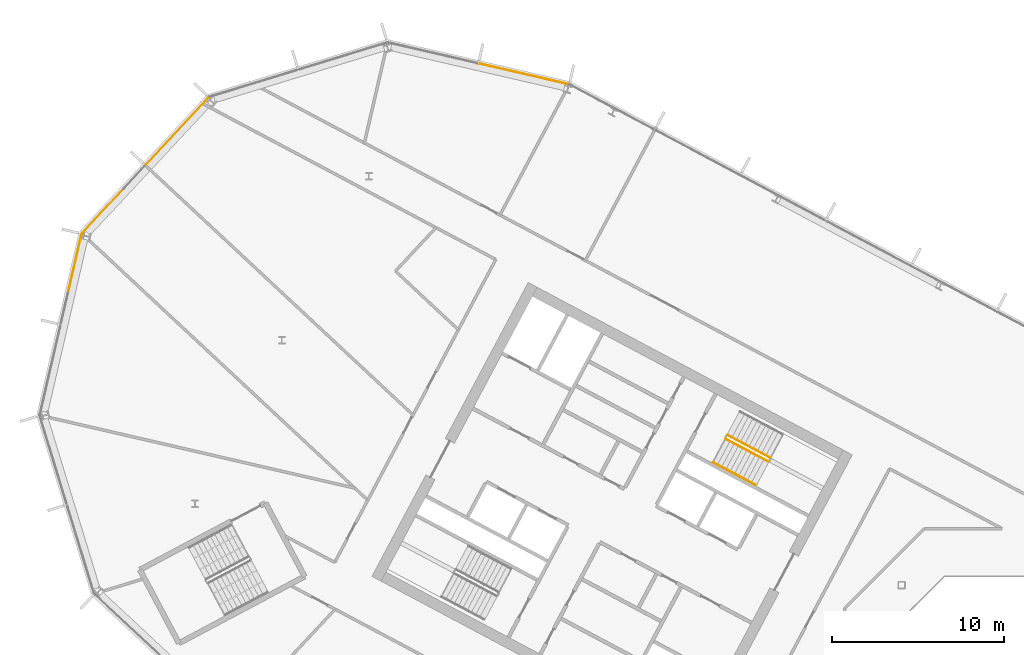
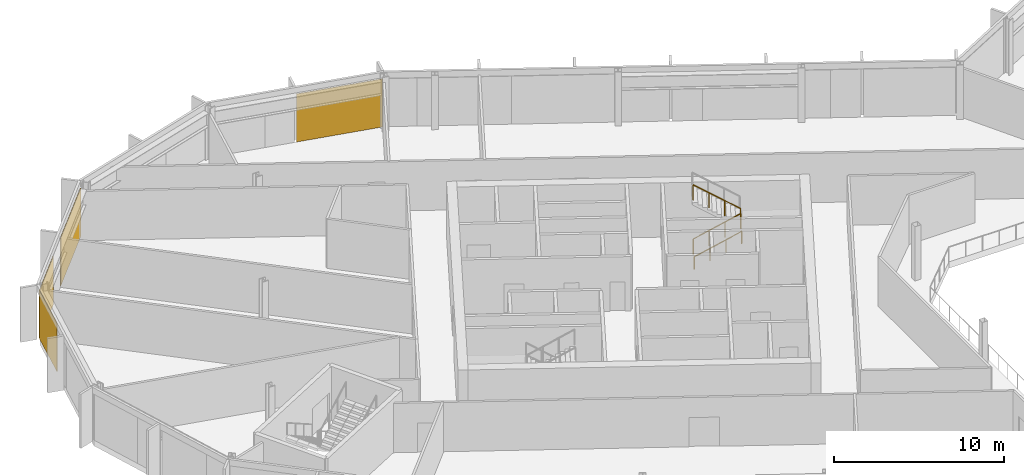
# One storey, part 25 of 31: 4 coverings, 3 railings, 3 elements without a shape of their own.
"""IFC4 building model written with IfcOpenShell, lengths in metres."""

from ifc_helpers import new_model, si_unit, direction, frame, origin, origin_2d, place, context, subcontext, project, spatial, polyline, rectangle, outline, extrude, material, layer, layer_set, type_object, element, aggregate, save


model = new_model("IFC4")

# Units and contexts
model_context = context("Model", 3, precision=1e-05, world=origin(), true_north=direction((0.0, 1.0)))
body_context = subcontext(model_context, "Body", "Model", "MODEL_VIEW")
ifc_project = project(units=[si_unit("LENGTHUNIT", "METRE"), si_unit("AREAUNIT", "SQUARE_METRE"), si_unit("VOLUMEUNIT", "CUBIC_METRE"), si_unit("PLANEANGLEUNIT", "RADIAN"), si_unit("MASSUNIT", "GRAM", prefix="KILO")], contexts=[model_context])

# Site, building, storey
site_placement = place(None, origin())
site = spatial("IfcSite", under=ifc_project, at=site_placement, CompositionType="ELEMENT")
building_placement = place(site_placement, origin())
building = spatial("IfcBuilding", under=site, at=building_placement, Name="Cormorant Relay Tower", CompositionType="ELEMENT")
storey_placement = place(building_placement, frame((0.0, 0.0, 189.60009765625)))
storey = spatial("IfcBuildingStorey", under=building, at=storey_placement, Name="L40", CompositionType="ELEMENT", Elevation=189.60009765625)

# Curtain wall, covering
ifc_material_1 = material(Name="Aluminium 6063-T6 anodised bronze", Category="aluminium")
ifc_layer_1 = layer(ifc_material_1, 0.199951171875)
ifc_layer_set_1 = layer_set([ifc_layer_1], Name="CW1 unitised bronze curtain wall with vertical fins")
curtain_wall_type = type_object("IfcCurtainWallType", Name="CW1 unitised bronze curtain wall with vertical fins", PredefinedType="NOTDEFINED", material=ifc_layer_set_1)
curtain_wall_1_placement = place(storey_placement, origin())
curtain_wall_1 = element("IfcCurtainWall", 1, at=curtain_wall_1_placement, inside=storey, type_object=curtain_wall_type, Name="CW1 curtain wall 10", PredefinedType="NOTDEFINED")
ifc_material_2 = material(Name="Pale bronze anodised aluminium insulated panel", Category="aluminium")
ifc_layer_2 = layer(ifc_material_2, 0.0400390625)
ifc_layer_set_2 = layer_set([ifc_layer_2], Name="CW1 pale bronze insulated panel 40")
covering_type = type_object("IfcCoveringType", Name="CW1 pale bronze insulated panel 40", PredefinedType="CLADDING", material=ifc_layer_set_2)
covering_1_placement = place(storey_placement, frame((-32.51708984375, 40.298828125, 0.0), z_axis=(0.0, 0.0, 1.0), x_axis=(-0.974370064785, 0.224951054344, 0.0)))
covering_1 = element("IfcCovering", 2, at=covering_1_placement, type_object=covering_type, Name="CW1 panel S00", PredefinedType="CLADDING", context=body_context, shape_type="SweptSolid", body=[
    extrude(rectangle(XDim=5.28515625, YDim=0.0400390625, at=origin_2d()), origin(), (0.0, 0.0, 1.0), 3.449951171875),
])
aggregate(curtain_wall_1, [covering_1])

# Curtain wall, coverings
curtain_wall_2_placement = place(storey_placement, origin())
curtain_wall_2 = element("IfcCurtainWall", 3, at=curtain_wall_2_placement, inside=storey, type_object=curtain_wall_type, Name="CW1 curtain wall 12", PredefinedType="NOTDEFINED")
covering_2_placement = place(storey_placement, frame((-52.72900390625, 36.961181640625, 0.0), z_axis=(0.0, 0.0, 1.0), x_axis=(-0.681998360062, -0.731353701619, 0.0)))
covering_2 = element("IfcCovering", 4, at=covering_2_placement, type_object=covering_type, Name="CW1 panel S00", PredefinedType="CLADDING", context=body_context, shape_type="SweptSolid", body=[
    extrude(rectangle(XDim=5.28515625, YDim=0.0400390625, at=origin_2d()), origin(), (0.0, 0.0, 1.0), 3.449951171875),
])
covering_3_placement = place(storey_placement, frame((-57.0751953125, 32.300537109375, 0.0), z_axis=(0.0, 0.0, 1.0), x_axis=(-0.681998360062, -0.731353701619, 0.0)))
covering_3 = element("IfcCovering", 5, at=covering_3_placement, type_object=covering_type, Name="CW1 panel S02", PredefinedType="CLADDING", context=body_context, shape_type="SweptSolid", body=[
    extrude(rectangle(XDim=3.560302734375, YDim=0.0400390625, at=origin_2d()), origin(), (0.0, 0.0, 1.0), 3.449951171875),
])
aggregate(curtain_wall_2, [covering_2, covering_3])

# Curtain wall, covering
curtain_wall_3_placement = place(storey_placement, origin())
curtain_wall_3 = element("IfcCurtainWall", 6, at=curtain_wall_3_placement, inside=storey, type_object=curtain_wall_type, Name="CW1 curtain wall 13", PredefinedType="NOTDEFINED")
covering_4_placement = place(storey_placement, frame((-58.702880859375, 29.218505859375, 0.0), z_axis=(0.0, 0.0, 1.0), x_axis=(-0.224951054344, -0.974370064785, 0.0)))
covering_4 = element("IfcCovering", 7, at=covering_4_placement, type_object=covering_type, Name="CW1 panel S00", PredefinedType="CLADDING", context=body_context, shape_type="SweptSolid", body=[
    extrude(rectangle(XDim=3.485107421875, YDim=0.0400390625, at=origin_2d()), origin(), (0.0, 0.0, 1.0), 3.449951171875),
])
aggregate(curtain_wall_3, [covering_4])

# Railings
ifc_material_3 = material(Name="Steel ASTM A572 Grade 50 (Fy 345 MPa)", Category="steel")
railing_type_1 = type_object("IfcRailingType", Name="Stair guard 1100", PredefinedType="GUARDRAIL", material=ifc_material_3)
railing_1_placement = place(storey_placement, frame((-20.75048828125, 19.017822265625, 0.17724609375)))
element("IfcRailing", 8, at=railing_1_placement, inside=storey, type_object=railing_type_1, Name="L40 A1 stair guard 1", PredefinedType="GUARDRAIL", context=body_context, shape_type="SweptSolid", body=[
    extrude(outline(polyline([(0.022216796875, 0.00927734375), (0.00927734375, 0.022216796875), (-0.00927734375, 0.022216796875), (-0.022216796875, 0.00927734375), (-0.022216796875, -0.00927734375), (-0.00927734375, -0.022216796875), (0.00927734375, -0.022216796875), (0.022216796875, -0.00927734375), (0.022216796875, 0.00927734375)])), frame((0.0, 0.0, 1.076171875), z_axis=(0.746001213114, -0.396649272309, 0.534931345884), x_axis=(0.469465464807, 0.882950835185, 0.0)), (0.0, 0.0, 1.0), 3.31396484375),
    extrude(outline(polyline([(0.019287109375, 0.008056640625), (0.008056640625, 0.019287109375), (-0.008056640625, 0.019287109375), (-0.019287109375, 0.008056640625), (-0.019287109375, -0.008056640625), (-0.008056640625, -0.019287109375), (0.008056640625, -0.019287109375), (0.019287109375, -0.008056640625), (0.019287109375, 0.008056640625)])), origin(), (0.0, 0.0, 1.0), 1.052001953125),
    extrude(outline(polyline([(0.019287109375, 0.008056640625), (0.008056640625, 0.019287109375), (-0.008056640625, 0.019287109375), (-0.019287109375, 0.008056640625), (-0.019287109375, -0.008056640625), (-0.008056640625, -0.019287109375), (0.008056640625, -0.019287109375), (0.019287109375, -0.008056640625), (0.019287109375, 0.008056640625)])), frame((0.823974609375, -0.438232421875, 0.5908203125)), (0.0, 0.0, 1.0), 1.052001953125),
    extrude(outline(polyline([(0.019287109375, 0.008056640625), (0.008056640625, 0.019287109375), (-0.008056640625, 0.019287109375), (-0.019287109375, 0.008056640625), (-0.019287109375, -0.008056640625), (-0.008056640625, -0.019287109375), (0.008056640625, -0.019287109375), (0.019287109375, -0.008056640625), (0.019287109375, 0.008056640625)])), frame((1.648193359375, -0.876220703125, 1.181884765625)), (0.0, 0.0, 1.0), 1.052001953125),
    extrude(outline(polyline([(0.019287109375, 0.008056640625), (0.008056640625, 0.019287109375), (-0.008056640625, 0.019287109375), (-0.019287109375, 0.008056640625), (-0.019287109375, -0.008056640625), (-0.008056640625, -0.019287109375), (0.008056640625, -0.019287109375), (0.019287109375, -0.008056640625), (0.019287109375, 0.008056640625)])), frame((2.47216796875, -1.314453125, 1.772705078125)), (0.0, 0.0, 1.0), 1.052001953125),
])
railing_2_placement = place(storey_placement, frame((-18.160888671875, 17.924072265625, 2.127197265625)))
element("IfcRailing", 9, at=railing_2_placement, inside=storey, type_object=railing_type_1, Name="L40 A1 stair guard 3", PredefinedType="GUARDRAIL", context=body_context, shape_type="SweptSolid", body=[
    extrude(outline(polyline([(0.022216796875, 0.00927734375), (0.00927734375, 0.022216796875), (-0.00927734375, 0.022216796875), (-0.022216796875, 0.00927734375), (-0.022216796875, -0.00927734375), (-0.00927734375, -0.022216796875), (0.00927734375, -0.022216796875), (0.022216796875, -0.00927734375), (0.022216796875, 0.00927734375)])), frame((0.0, 0.0, 1.076171875), z_axis=(-0.746033882577, 0.396627473466, 0.534901947407), x_axis=(-0.469429322983, -0.882970050864, 0.0)), (0.0, 0.0, 1.0), 3.31396484375),
    extrude(outline(polyline([(0.019287109375, 0.008056640625), (0.008056640625, 0.019287109375), (-0.008056640625, 0.019287109375), (-0.019287109375, 0.008056640625), (-0.019287109375, -0.008056640625), (-0.008056640625, -0.019287109375), (0.008056640625, -0.019287109375), (0.019287109375, -0.008056640625), (0.019287109375, 0.008056640625)])), origin(), (0.0, 0.0, 1.0), 1.052001953125),
    extrude(outline(polyline([(0.019287109375, 0.008056640625), (0.008056640625, 0.019287109375), (-0.008056640625, 0.019287109375), (-0.019287109375, 0.008056640625), (-0.019287109375, -0.008056640625), (-0.008056640625, -0.019287109375), (0.008056640625, -0.019287109375), (0.019287109375, -0.008056640625), (0.019287109375, 0.008056640625)])), frame((-0.82421875, 0.438232421875, 0.5908203125)), (0.0, 0.0, 1.0), 1.052001953125),
    extrude(outline(polyline([(0.019287109375, 0.008056640625), (0.008056640625, 0.019287109375), (-0.008056640625, 0.019287109375), (-0.019287109375, 0.008056640625), (-0.019287109375, -0.008056640625), (-0.008056640625, -0.019287109375), (0.008056640625, -0.019287109375), (0.019287109375, -0.008056640625), (0.019287109375, 0.008056640625)])), frame((-1.648193359375, 0.876220703125, 1.181884765625)), (0.0, 0.0, 1.0), 1.052001953125),
    extrude(outline(polyline([(0.019287109375, 0.008056640625), (0.008056640625, 0.019287109375), (-0.008056640625, 0.019287109375), (-0.019287109375, 0.008056640625), (-0.019287109375, -0.008056640625), (-0.008056640625, -0.019287109375), (0.008056640625, -0.019287109375), (0.019287109375, -0.008056640625), (0.019287109375, 0.008056640625)])), frame((-2.472412109375, 1.314453125, 1.772705078125)), (0.0, 0.0, 1.0), 1.052001953125),
])
ifc_material_4 = material(Name="Steel ASTM A572 Grade 50 (Fy 345 MPa)", Category="steel")
railing_type_2 = type_object("IfcRailingType", Name="Stair handrail 900", PredefinedType="HANDRAIL", material=ifc_material_4)
railing_3_placement = place(storey_placement, frame((-21.478271484375, 17.6494140625, 0.17724609375)))
element("IfcRailing", 10, at=railing_3_placement, inside=storey, type_object=railing_type_2, Name="L40 A1 stair handrail 1", PredefinedType="HANDRAIL", context=body_context, shape_type="SweptSolid", body=[
    extrude(outline(polyline([(0.022216796875, 0.00927734375), (0.00927734375, 0.022216796875), (-0.00927734375, 0.022216796875), (-0.022216796875, 0.00927734375), (-0.022216796875, -0.00927734375), (-0.00927734375, -0.022216796875), (0.00927734375, -0.022216796875), (0.022216796875, -0.00927734375), (0.022216796875, 0.00927734375)])), frame((0.0, 0.0, 0.8759765625), z_axis=(0.746012083385, -0.396689549623, 0.534886317514), x_axis=(0.469497295046, 0.882933910293, 0.0)), (0.0, 0.0, 1.0), 3.314208984375),
    extrude(outline(polyline([(0.019287109375, 0.008056640625), (0.008056640625, 0.019287109375), (-0.008056640625, 0.019287109375), (-0.019287109375, 0.008056640625), (-0.019287109375, -0.008056640625), (-0.008056640625, -0.019287109375), (0.008056640625, -0.019287109375), (0.019287109375, -0.008056640625), (0.019287109375, 0.008056640625)])), origin(), (0.0, 0.0, 1.0), 0.851806640625),
    extrude(outline(polyline([(0.019287109375, 0.008056640625), (0.008056640625, 0.019287109375), (-0.008056640625, 0.019287109375), (-0.019287109375, 0.008056640625), (-0.019287109375, -0.008056640625), (-0.008056640625, -0.019287109375), (0.008056640625, -0.019287109375), (0.019287109375, -0.008056640625), (0.019287109375, 0.008056640625)])), frame((0.82421875, -0.438232421875, 0.5908203125)), (0.0, 0.0, 1.0), 0.851806640625),
    extrude(outline(polyline([(0.019287109375, 0.008056640625), (0.008056640625, 0.019287109375), (-0.008056640625, 0.019287109375), (-0.019287109375, 0.008056640625), (-0.019287109375, -0.008056640625), (-0.008056640625, -0.019287109375), (0.008056640625, -0.019287109375), (0.019287109375, -0.008056640625), (0.019287109375, 0.008056640625)])), frame((1.648193359375, -0.87646484375, 1.181884765625)), (0.0, 0.0, 1.0), 0.851806640625),
    extrude(outline(polyline([(0.019287109375, 0.008056640625), (0.008056640625, 0.019287109375), (-0.008056640625, 0.019287109375), (-0.019287109375, 0.008056640625), (-0.019287109375, -0.008056640625), (-0.008056640625, -0.019287109375), (0.008056640625, -0.019287109375), (0.019287109375, -0.008056640625), (0.019287109375, 0.008056640625)])), frame((2.472412109375, -1.314697265625, 1.772705078125)), (0.0, 0.0, 1.0), 0.851806640625),
])

save(model, "model.ifc")
